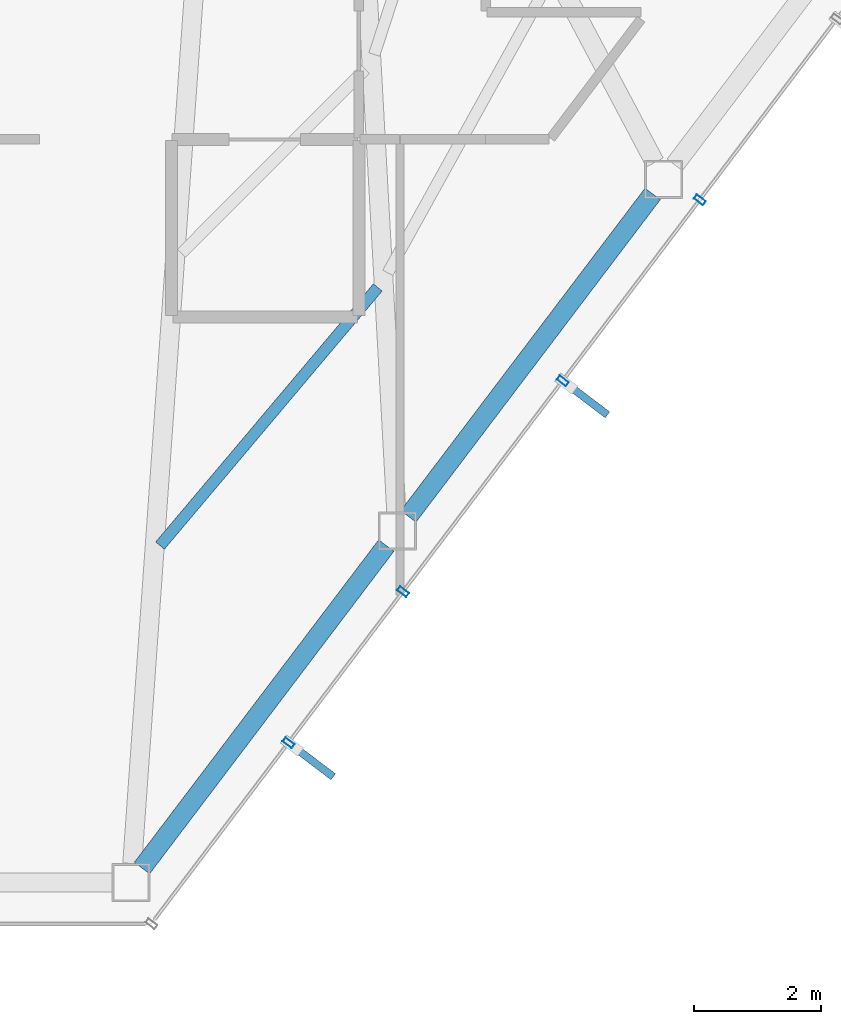
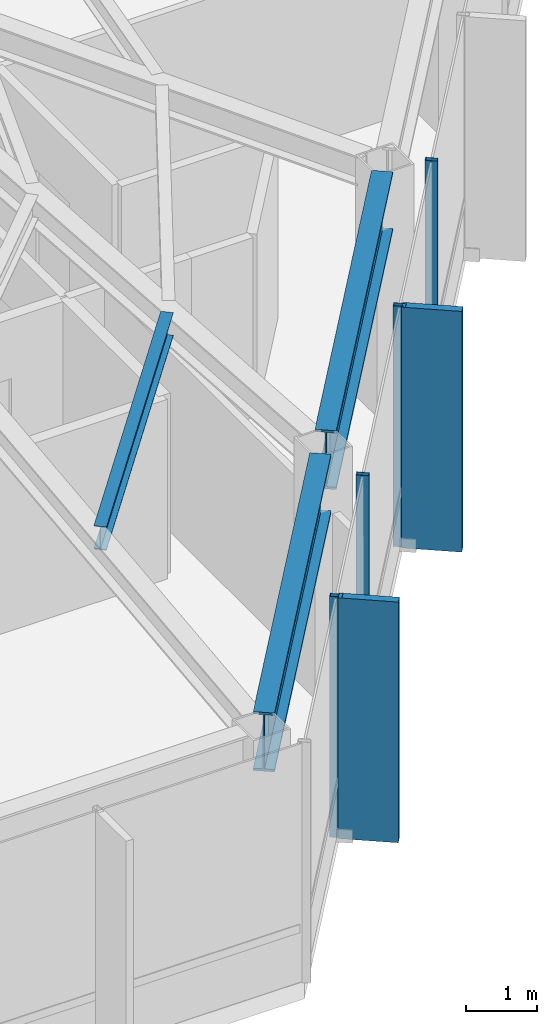
# One storey, part 12 of 23: 6 members, 3 beams, 1 element without a shape of its own.
"""IFC4 building model written with IfcOpenShell, lengths in metres."""

from ifc_helpers import new_model, si_unit, direction, frame, origin, origin_2d, place, context, subcontext, project, spatial, rectangle, hollow_rectangle, i_section, extrude, material, layer, layer_set, material_profile, profile_set, type_object, element, aggregate, save


model = new_model("IFC4")

# Units and contexts
model_context = context("Model", 3, precision=1e-05, world=origin(), true_north=direction((0.0, 1.0)))
body_context = subcontext(model_context, "Body", "Model", "MODEL_VIEW")
ifc_project = project(units=[si_unit("LENGTHUNIT", "METRE"), si_unit("AREAUNIT", "SQUARE_METRE"), si_unit("VOLUMEUNIT", "CUBIC_METRE"), si_unit("PLANEANGLEUNIT", "RADIAN"), si_unit("MASSUNIT", "GRAM", prefix="KILO")], contexts=[model_context])

# Site, building, storey
site_placement = place(None, origin())
site = spatial("IfcSite", under=ifc_project, at=site_placement, CompositionType="ELEMENT")
building_placement = place(site_placement, origin())
building = spatial("IfcBuilding", under=site, at=building_placement, Name="Zarrinselat Tower", CompositionType="ELEMENT")
storey_placement = place(building_placement, frame((0.0, 0.0, 199.919921875)))
storey = spatial("IfcBuildingStorey", under=building, at=storey_placement, Name="L49", CompositionType="ELEMENT", Elevation=199.919921875)

# Beams
ifc_material_1 = material(Name="Steel S460M", Category="steel")
ifc_material_profile_1 = material_profile(ifc_material_1, i_section(OverallWidth=0.302001953125, OverallDepth=1.008056640625, WebThickness=0.02099609375, FlangeThickness=0.0400390625, at=origin_2d()), Name="HEM 1000")
ifc_profile_set_1 = profile_set([ifc_material_profile_1], Name="Steel S460M")
beam_type_1 = type_object("IfcBeamType", Name="BM-HEM1000", PredefinedType="BEAM", material=ifc_profile_set_1)
beam_1_placement = place(storey_placement, frame((44.931396484375, 18.660400390625, 3.615966796875), z_axis=(0.603862845729, 0.797088240754, 0.0), x_axis=(-0.797088240754, 0.603862845729, 0.0)))
element("IfcBeam", 1, at=beam_1_placement, inside=storey, type_object=beam_type_1, Name="L49 Perimeter Spandrel Girder SP11", PredefinedType="BEAM", context=body_context, shape_type="SweptSolid", body=[
    extrude(i_section(OverallWidth=0.302001953125, OverallDepth=1.008056640625, WebThickness=0.02099609375, FlangeThickness=0.0400390625, at=origin_2d()), origin(), (0.0, 0.0, 1.0), 6.37939453125),
])
beam_2_placement = place(storey_placement, frame((49.131591796875, 24.20458984375, 3.615966796875), z_axis=(0.60388126672, 0.797074284935, 0.0), x_axis=(-0.797074284935, 0.60388126672, 0.0)))
element("IfcBeam", 2, at=beam_2_placement, inside=storey, type_object=beam_type_1, Name="L49 Perimeter Spandrel Girder SP12", PredefinedType="BEAM", context=body_context, shape_type="SweptSolid", body=[
    extrude(i_section(OverallWidth=0.302001953125, OverallDepth=1.008056640625, WebThickness=0.02099609375, FlangeThickness=0.0400390625, at=origin_2d()), origin(), (0.0, 0.0, 1.0), 6.379150390625),
])
ifc_material_2 = material(Name="Steel S355J2", Category="steel")
ifc_material_profile_2 = material_profile(ifc_material_2, i_section(OverallWidth=0.179931640625, OverallDepth=0.39990234375, WebThickness=0.008544921875, FlangeThickness=0.013427734375, at=origin_2d()), Name="IPE 400")
ifc_profile_set_2 = profile_set([ifc_material_profile_2], Name="Steel S355J2")
beam_type_2 = type_object("IfcBeamType", Name="BM-IPE400", PredefinedType="JOIST", material=ifc_profile_set_2)
beam_3_placement = place(storey_placement, frame((45.21630859375, 23.744384765625, 3.920166015625), z_axis=(0.644722809896, 0.764416443047, 0.0), x_axis=(-0.764416443047, 0.644722809896, 0.0)))
element("IfcBeam", 3, at=beam_3_placement, inside=storey, type_object=beam_type_2, Name="L49 Composite Floor Joist 3-1", PredefinedType="JOIST", context=body_context, shape_type="SweptSolid", body=[
    extrude(i_section(OverallWidth=0.179931640625, OverallDepth=0.39990234375, WebThickness=0.008544921875, FlangeThickness=0.013427734375, at=origin_2d()), origin(), (0.0, 0.0, 1.0), 5.32568359375),
])

# Curtain wall, members
ifc_material_3 = material(Name="Extruded Aluminium Alloy EN AW-6063 T6", Category="aluminium")
ifc_layer = layer(ifc_material_3, 0.195068359375)
ifc_layer_set = layer_set([ifc_layer], Name="Extruded Aluminium Alloy EN AW-6063 T6")
curtain_wall_type = type_object("IfcCurtainWallType", Name="CWS-GDN", PredefinedType="NOTDEFINED", material=ifc_layer_set)
curtain_wall_placement = place(storey_placement, origin())
curtain_wall = element("IfcCurtainWall", 4, at=curtain_wall_placement, inside=storey, type_object=curtain_wall_type, Name="L49 Unitised Curtain Wall CW-L49-E04", PredefinedType="NOTDEFINED")
ifc_material_4 = material(Name="Extruded Aluminium Alloy EN AW-6063 T6", Category="aluminium")
ifc_material_profile_3 = material_profile(ifc_material_4, hollow_rectangle(XDim=0.080078125, YDim=0.179931640625, WallThickness=0.0048828125, at=origin_2d()), Name="RHS 180x80x5")
ifc_profile_set_3 = profile_set([ifc_material_profile_3], Name="Extruded Aluminium Alloy EN AW-6063 T6")
member_type_1 = type_object("IfcMemberType", Name="MEM-CW-MUL", PredefinedType="MULLION", material=ifc_profile_set_3)
member_1_placement = place(storey_placement, frame((53.72705078125, 29.194091796875, 0.0), z_axis=(0.0, 0.0, 1.0), x_axis=(-0.603858158606, -0.79709179163, 0.0)))
member_1 = element("IfcMember", 5, at=member_1_placement, type_object=member_type_1, Name="CW-L49-E04 Mullion 4", PredefinedType="MULLION", context=body_context, shape_type="SweptSolid", body=[
    extrude(hollow_rectangle(XDim=0.080078125, YDim=0.179931640625, WallThickness=0.0048828125, at=origin_2d()), origin(), (0.0, 0.0, 1.0), 4.1201171875),
])
member_2_placement = place(storey_placement, frame((51.5654296875, 26.3408203125, 0.0), z_axis=(0.0, 0.0, 1.0), x_axis=(-0.603858158606, -0.79709179163, 0.0)))
member_2 = element("IfcMember", 6, at=member_2_placement, type_object=member_type_1, Name="CW-L49-E04 Mullion 5", PredefinedType="MULLION", context=body_context, shape_type="SweptSolid", body=[
    extrude(hollow_rectangle(XDim=0.080078125, YDim=0.179931640625, WallThickness=0.0048828125, at=origin_2d()), origin(), (0.0, 0.0, 1.0), 4.1201171875),
])
member_3_placement = place(storey_placement, frame((49.0478515625, 23.017578125, 0.0), z_axis=(0.0, 0.0, 1.0), x_axis=(-0.603858158606, -0.79709179163, 0.0)))
member_3 = element("IfcMember", 7, at=member_3_placement, type_object=member_type_1, Name="CW-L49-E04 Mullion 6", PredefinedType="MULLION", context=body_context, shape_type="SweptSolid", body=[
    extrude(hollow_rectangle(XDim=0.080078125, YDim=0.179931640625, WallThickness=0.0048828125, at=origin_2d()), origin(), (0.0, 0.0, 1.0), 4.1201171875),
])
member_4_placement = place(storey_placement, frame((47.2421875, 20.634033203125, 0.0), z_axis=(0.0, 0.0, 1.0), x_axis=(-0.603858158606, -0.79709179163, 0.0)))
member_4 = element("IfcMember", 8, at=member_4_placement, type_object=member_type_1, Name="CW-L49-E04 Mullion 7", PredefinedType="MULLION", context=body_context, shape_type="SweptSolid", body=[
    extrude(hollow_rectangle(XDim=0.080078125, YDim=0.179931640625, WallThickness=0.0048828125, at=origin_2d()), origin(), (0.0, 0.0, 1.0), 4.1201171875),
])
ifc_material_5 = material(Name="Honed Cream Travertine Stone", Category="masonry")
ifc_material_profile_4 = material_profile(ifc_material_5, rectangle(XDim=0.1201171875, YDim=0.85009765625, at=origin_2d()), Name="FIN 850x120")
ifc_profile_set_4 = profile_set([ifc_material_profile_4], Name="Honed Cream Travertine Stone")
member_type_2 = type_object("IfcMemberType", Name="MEM-STONE-FIN", PredefinedType="USERDEFINED", material=ifc_profile_set_4)
member_5_placement = place(storey_placement, frame((51.93212890625, 26.06298828125, 0.0), z_axis=(0.0, 0.0, 1.0), x_axis=(-0.603858158606, -0.79709179163, 0.0)))
member_5 = element("IfcMember", 9, at=member_5_placement, type_object=member_type_2, Name="L49 Stone Shading Fin CW-L49-E04-05", ObjectType="FIN", PredefinedType="USERDEFINED", context=body_context, shape_type="SweptSolid", body=[
    extrude(rectangle(XDim=0.1201171875, YDim=0.85009765625, at=origin_2d()), origin(), (0.0, 0.0, 1.0), 4.1201171875),
])
member_6_placement = place(storey_placement, frame((47.60888671875, 20.356201171875, 0.0), z_axis=(0.0, 0.0, 1.0), x_axis=(-0.603858158606, -0.79709179163, 0.0)))
member_6 = element("IfcMember", 10, at=member_6_placement, type_object=member_type_2, Name="L49 Stone Shading Fin CW-L49-E04-07", ObjectType="FIN", PredefinedType="USERDEFINED", context=body_context, shape_type="SweptSolid", body=[
    extrude(rectangle(XDim=0.1201171875, YDim=0.85009765625, at=origin_2d()), origin(), (0.0, 0.0, 1.0), 4.1201171875),
])
aggregate(curtain_wall, [member_1, member_2, member_5, member_3, member_4, member_6])

save(model, "model.ifc")
